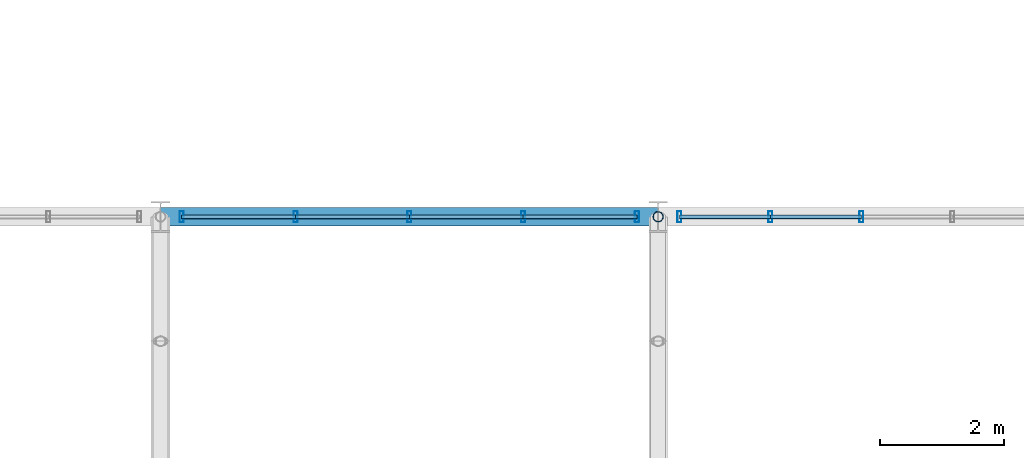
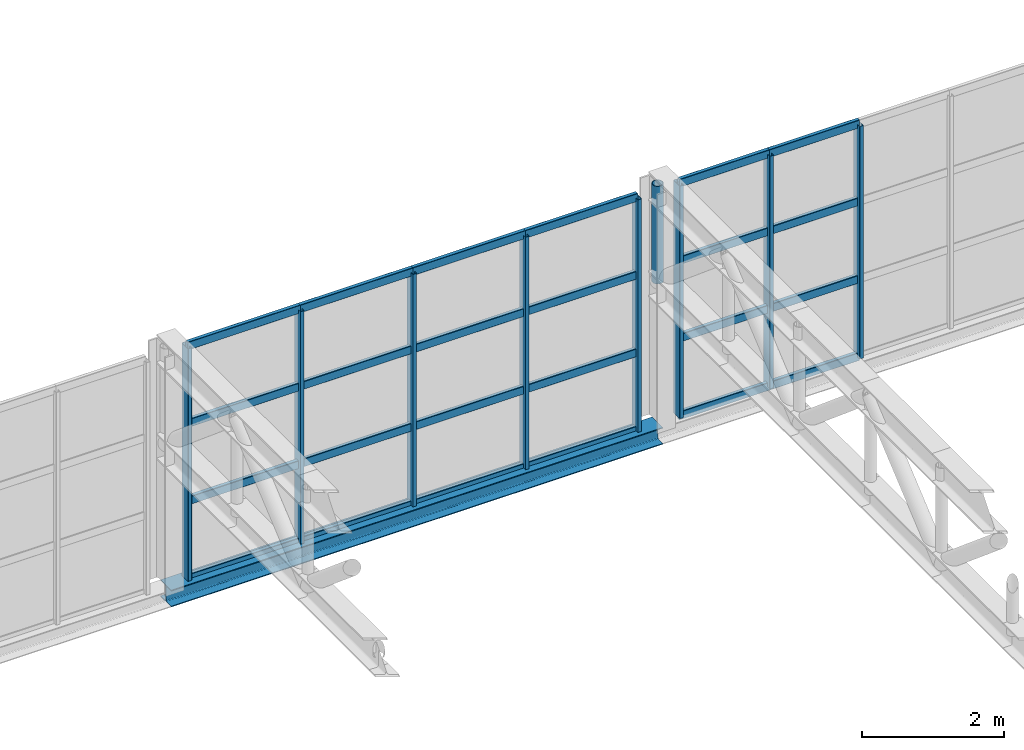
# One storey, part 39 of 67: 33 members, 1 beam, 2 elements without a shape of their own.
"""IFC4 building model written with IfcOpenShell, lengths in metres."""

from ifc_helpers import new_model, si_unit, derived_unit, direction, frame, origin, origin_2d, place, context, subcontext, project, spatial, hollow_rectangle, hollow_circle, i_section, extrude, material, material_profile, profile_set, type_object, element, aggregate, save


model = new_model("IFC4")

# Units and contexts
model_context = context("Model", 3, precision=1e-05, world=origin(), true_north=direction((0.0, 1.0)))
body_context = subcontext(model_context, "Body", "Model", "MODEL_VIEW")
ifc_project = project(units=[si_unit("LENGTHUNIT", "METRE"), si_unit("AREAUNIT", "SQUARE_METRE"), si_unit("VOLUMEUNIT", "CUBIC_METRE"), si_unit("PLANEANGLEUNIT", "RADIAN"), si_unit("MASSUNIT", "GRAM", prefix="KILO"), derived_unit("THERMALTRANSMITTANCEUNIT", [(si_unit("POWERUNIT", "WATT"), 1), (si_unit("LENGTHUNIT", "METRE"), -2), (si_unit("THERMODYNAMICTEMPERATUREUNIT", "KELVIN"), -1)])], contexts=[model_context])

# Site, building, storey
site_placement = place(None, origin())
site = spatial("IfcSite", under=ifc_project, at=site_placement, CompositionType="ELEMENT")
building_placement = place(site_placement, origin())
building = spatial("IfcBuilding", under=site, at=building_placement, Name="Keldorne Ridge Multi-Sports Centre", CompositionType="ELEMENT")
storey_placement = place(building_placement, frame((0.0, 0.0, 14.0)))
storey = spatial("IfcBuildingStorey", under=building, at=storey_placement, Name="L03", CompositionType="ELEMENT", Elevation=14.0)

# Beam
ifc_material_1 = material(Name="Steel S355", Category="steel")
ifc_material_profile_1 = material_profile(ifc_material_1, i_section(OverallWidth=0.300048828125, OverallDepth=0.2900390625, WebThickness=0.008544921875, FlangeThickness=0.013916015625, FilletRadius=0.027099609375, at=origin_2d()), Name="HEA 300")
ifc_profile_set_1 = profile_set([ifc_material_profile_1], Name="Steel S355")
beam_type = type_object("IfcBeamType", Name="BM-SP-04", PredefinedType="SPANDREL", material=ifc_profile_set_1)
beam_placement = place(storey_placement, frame((152.0, 54.0, -0.14990234375), z_axis=(1.0, 0.0, 0.0), x_axis=(0.0, 1.0, 0.0)))
element("IfcBeam", 1, at=beam_placement, inside=storey, type_object=beam_type, Name="Stacked Courts spandrel L03.54.7", PredefinedType="SPANDREL", context=body_context, shape_type="SweptSolid", body=[
    extrude(i_section(OverallWidth=0.300048828125, OverallDepth=0.2900390625, WebThickness=0.008544921875, FlangeThickness=0.013916015625, FilletRadius=0.027099609375, at=origin_2d()), origin(), (0.0, 0.0, 1.0), 8.0),
])

# Curtain wall, members
ifc_material_2 = material(Name="Anodized aluminium", Category="aluminium")
curtain_wall_type_1 = type_object("IfcCurtainWallType", Name="CW-CW-03", PredefinedType="NOTDEFINED", material=ifc_material_2)
curtain_wall_1_placement = place(storey_placement, origin())
curtain_wall_1 = element("IfcCurtainWall", 2, at=curtain_wall_1_placement, inside=storey, type_object=curtain_wall_type_1, Name="Upper Courts north clerestory 131", PredefinedType="NOTDEFINED")
ifc_material_profile_2 = material_profile(ifc_material_2, hollow_rectangle(XDim=0.06494140625, YDim=0.179931640625, WallThickness=0.00439453125, InnerFilletRadius=0.00439453125, OuterFilletRadius=0.009033203125, at=origin_2d()), Name="ALU MULLION 180x65x4.5")
ifc_profile_set_2 = profile_set([ifc_material_profile_2], Name="Anodized aluminium")
member_type_1 = type_object("IfcMemberType", Name="MEM-ML-01", PredefinedType="MULLION", material=ifc_profile_set_2)
member_1_placement = place(storey_placement, frame((159.659912109375, 54.0, 0.0), z_axis=(0.0, 0.0, 1.0), x_axis=(1.0, 0.0, 0.0)))
member_1 = element("IfcMember", 3, at=member_1_placement, type_object=member_type_1, Name="CW-131 vertical mullion 1", PredefinedType="MULLION", context=body_context, shape_type="SweptSolid", body=[
    extrude(hollow_rectangle(XDim=0.06494140625, YDim=0.179931640625, WallThickness=0.00439453125, InnerFilletRadius=0.00439453125, OuterFilletRadius=0.009033203125, at=origin_2d()), origin(), (0.0, 0.0, 1.0), 4.0),
])
member_2_placement = place(storey_placement, frame((157.830078125, 54.0, 0.0), z_axis=(0.0, 0.0, 1.0), x_axis=(1.0, 0.0, 0.0)))
member_2 = element("IfcMember", 4, at=member_2_placement, type_object=member_type_1, Name="CW-131 vertical mullion 2", PredefinedType="MULLION", context=body_context, shape_type="SweptSolid", body=[
    extrude(hollow_rectangle(XDim=0.06494140625, YDim=0.179931640625, WallThickness=0.00439453125, InnerFilletRadius=0.00439453125, OuterFilletRadius=0.009033203125, at=origin_2d()), origin(), (0.0, 0.0, 1.0), 4.0),
])
member_3_placement = place(storey_placement, frame((156.0, 54.0, 0.0), z_axis=(0.0, 0.0, 1.0), x_axis=(1.0, 0.0, 0.0)))
member_3 = element("IfcMember", 5, at=member_3_placement, type_object=member_type_1, Name="CW-131 vertical mullion 3", PredefinedType="MULLION", context=body_context, shape_type="SweptSolid", body=[
    extrude(hollow_rectangle(XDim=0.06494140625, YDim=0.179931640625, WallThickness=0.00439453125, InnerFilletRadius=0.00439453125, OuterFilletRadius=0.009033203125, at=origin_2d()), origin(), (0.0, 0.0, 1.0), 4.0),
])
member_4_placement = place(storey_placement, frame((154.169921875, 54.0, 0.0), z_axis=(0.0, 0.0, 1.0), x_axis=(1.0, 0.0, 0.0)))
member_4 = element("IfcMember", 6, at=member_4_placement, type_object=member_type_1, Name="CW-131 vertical mullion 4", PredefinedType="MULLION", context=body_context, shape_type="SweptSolid", body=[
    extrude(hollow_rectangle(XDim=0.06494140625, YDim=0.179931640625, WallThickness=0.00439453125, InnerFilletRadius=0.00439453125, OuterFilletRadius=0.009033203125, at=origin_2d()), origin(), (0.0, 0.0, 1.0), 4.0),
])
member_5_placement = place(storey_placement, frame((152.340087890625, 54.0, 0.0), z_axis=(0.0, 0.0, 1.0), x_axis=(1.0, 0.0, 0.0)))
member_5 = element("IfcMember", 7, at=member_5_placement, type_object=member_type_1, Name="CW-131 vertical mullion 5", PredefinedType="MULLION", context=body_context, shape_type="SweptSolid", body=[
    extrude(hollow_rectangle(XDim=0.06494140625, YDim=0.179931640625, WallThickness=0.00439453125, InnerFilletRadius=0.00439453125, OuterFilletRadius=0.009033203125, at=origin_2d()), origin(), (0.0, 0.0, 1.0), 4.0),
])

curtain_wall_type_2 = type_object("IfcCurtainWallType", Name="CW-CW-02", PredefinedType="NOTDEFINED", material=ifc_material_2)
curtain_wall_2_placement = place(storey_placement, origin())
curtain_wall_2 = element("IfcCurtainWall", 8, at=curtain_wall_2_placement, inside=storey, type_object=curtain_wall_type_2, Name="Upper Courts north clerestory 138", PredefinedType="NOTDEFINED")
member_6_placement = place(storey_placement, frame((163.26806640625, 54.0, 0.0), z_axis=(0.0, 0.0, 1.0), x_axis=(1.0, 0.0, 0.0)))
member_6 = element("IfcMember", 9, at=member_6_placement, type_object=member_type_1, Name="CW-138 vertical mullion 4", PredefinedType="MULLION", context=body_context, shape_type="SweptSolid", body=[
    extrude(hollow_rectangle(XDim=0.06494140625, YDim=0.179931640625, WallThickness=0.00439453125, InnerFilletRadius=0.00439453125, OuterFilletRadius=0.009033203125, at=origin_2d()), origin(), (0.0, 0.0, 1.0), 4.0),
])
member_7_placement = place(storey_placement, frame((161.803955078125, 54.0, 0.0), z_axis=(0.0, 0.0, 1.0), x_axis=(1.0, 0.0, 0.0)))
member_7 = element("IfcMember", 10, at=member_7_placement, type_object=member_type_1, Name="CW-138 vertical mullion 5", PredefinedType="MULLION", context=body_context, shape_type="SweptSolid", body=[
    extrude(hollow_rectangle(XDim=0.06494140625, YDim=0.179931640625, WallThickness=0.00439453125, InnerFilletRadius=0.00439453125, OuterFilletRadius=0.009033203125, at=origin_2d()), origin(), (0.0, 0.0, 1.0), 4.0),
])
member_8_placement = place(storey_placement, frame((160.340087890625, 54.0, 0.0), z_axis=(0.0, 0.0, 1.0), x_axis=(1.0, 0.0, 0.0)))
member_8 = element("IfcMember", 11, at=member_8_placement, type_object=member_type_1, Name="CW-138 vertical mullion 6", PredefinedType="MULLION", context=body_context, shape_type="SweptSolid", body=[
    extrude(hollow_rectangle(XDim=0.06494140625, YDim=0.179931640625, WallThickness=0.00439453125, InnerFilletRadius=0.00439453125, OuterFilletRadius=0.009033203125, at=origin_2d()), origin(), (0.0, 0.0, 1.0), 4.0),
])

# Member
ifc_material_profile_3 = material_profile(ifc_material_2, hollow_rectangle(XDim=0.06494140625, YDim=0.139892578125, WallThickness=0.00439453125, InnerFilletRadius=0.00439453125, OuterFilletRadius=0.009033203125, at=origin_2d()), Name="ALU TRANSOM 140x65x4.5")
ifc_profile_set_3 = profile_set([ifc_material_profile_3], Name="Anodized aluminium")
member_type_2 = type_object("IfcMemberType", Name="MEM-TR-01", PredefinedType="USERDEFINED", material=ifc_profile_set_3)
member_9_placement = place(storey_placement, frame((159.659912109375, 54.0, 0.0), z_axis=(-1.0, 0.0, 0.0), x_axis=(0.0, -1.0, 0.0)))
member_9 = element("IfcMember", 12, at=member_9_placement, type_object=member_type_2, Name="CW-131 transom 1.1", ObjectType="TRANSOM", PredefinedType="USERDEFINED", context=body_context, shape_type="SweptSolid", body=[
    extrude(hollow_rectangle(XDim=0.06494140625, YDim=0.139892578125, WallThickness=0.00439453125, InnerFilletRadius=0.00439453125, OuterFilletRadius=0.009033203125, at=origin_2d()), origin(), (0.0, 0.0, 1.0), 1.829833984375),
])

member_10_placement = place(storey_placement, frame((159.659912109375, 54.0, 1.333251953125), z_axis=(-1.0, 0.0, 0.0), x_axis=(0.0, -1.0, 0.0)))
member_10 = element("IfcMember", 13, at=member_10_placement, type_object=member_type_2, Name="CW-131 transom 1.2", ObjectType="TRANSOM", PredefinedType="USERDEFINED", context=body_context, shape_type="SweptSolid", body=[
    extrude(hollow_rectangle(XDim=0.06494140625, YDim=0.139892578125, WallThickness=0.00439453125, InnerFilletRadius=0.00439453125, OuterFilletRadius=0.009033203125, at=origin_2d()), origin(), (0.0, 0.0, 1.0), 1.829833984375),
])

member_11_placement = place(storey_placement, frame((159.659912109375, 54.0, 2.666748046875), z_axis=(-1.0, 0.0, 0.0), x_axis=(0.0, -1.0, 0.0)))
member_11 = element("IfcMember", 14, at=member_11_placement, type_object=member_type_2, Name="CW-131 transom 1.3", ObjectType="TRANSOM", PredefinedType="USERDEFINED", context=body_context, shape_type="SweptSolid", body=[
    extrude(hollow_rectangle(XDim=0.06494140625, YDim=0.139892578125, WallThickness=0.00439453125, InnerFilletRadius=0.00439453125, OuterFilletRadius=0.009033203125, at=origin_2d()), origin(), (0.0, 0.0, 1.0), 1.829833984375),
])

member_12_placement = place(storey_placement, frame((159.659912109375, 54.0, 4.0), z_axis=(-1.0, 0.0, 0.0), x_axis=(0.0, -1.0, 0.0)))
member_12 = element("IfcMember", 15, at=member_12_placement, type_object=member_type_2, Name="CW-131 transom 1.4", ObjectType="TRANSOM", PredefinedType="USERDEFINED", context=body_context, shape_type="SweptSolid", body=[
    extrude(hollow_rectangle(XDim=0.06494140625, YDim=0.139892578125, WallThickness=0.00439453125, InnerFilletRadius=0.00439453125, OuterFilletRadius=0.009033203125, at=origin_2d()), origin(), (0.0, 0.0, 1.0), 1.829833984375),
])

member_13_placement = place(storey_placement, frame((157.830078125, 54.0, 0.0), z_axis=(-1.0, 0.0, 0.0), x_axis=(0.0, -1.0, 0.0)))
member_13 = element("IfcMember", 16, at=member_13_placement, type_object=member_type_2, Name="CW-131 transom 2.1", ObjectType="TRANSOM", PredefinedType="USERDEFINED", context=body_context, shape_type="SweptSolid", body=[
    extrude(hollow_rectangle(XDim=0.06494140625, YDim=0.139892578125, WallThickness=0.00439453125, InnerFilletRadius=0.00439453125, OuterFilletRadius=0.009033203125, at=origin_2d()), origin(), (0.0, 0.0, 1.0), 1.830078125),
])

member_14_placement = place(storey_placement, frame((157.830078125, 54.0, 1.333251953125), z_axis=(-1.0, 0.0, 0.0), x_axis=(0.0, -1.0, 0.0)))
member_14 = element("IfcMember", 17, at=member_14_placement, type_object=member_type_2, Name="CW-131 transom 2.2", ObjectType="TRANSOM", PredefinedType="USERDEFINED", context=body_context, shape_type="SweptSolid", body=[
    extrude(hollow_rectangle(XDim=0.06494140625, YDim=0.139892578125, WallThickness=0.00439453125, InnerFilletRadius=0.00439453125, OuterFilletRadius=0.009033203125, at=origin_2d()), origin(), (0.0, 0.0, 1.0), 1.830078125),
])

member_15_placement = place(storey_placement, frame((157.830078125, 54.0, 2.666748046875), z_axis=(-1.0, 0.0, 0.0), x_axis=(0.0, -1.0, 0.0)))
member_15 = element("IfcMember", 18, at=member_15_placement, type_object=member_type_2, Name="CW-131 transom 2.3", ObjectType="TRANSOM", PredefinedType="USERDEFINED", context=body_context, shape_type="SweptSolid", body=[
    extrude(hollow_rectangle(XDim=0.06494140625, YDim=0.139892578125, WallThickness=0.00439453125, InnerFilletRadius=0.00439453125, OuterFilletRadius=0.009033203125, at=origin_2d()), origin(), (0.0, 0.0, 1.0), 1.830078125),
])

member_16_placement = place(storey_placement, frame((157.830078125, 54.0, 4.0), z_axis=(-1.0, 0.0, 0.0), x_axis=(0.0, -1.0, 0.0)))
member_16 = element("IfcMember", 19, at=member_16_placement, type_object=member_type_2, Name="CW-131 transom 2.4", ObjectType="TRANSOM", PredefinedType="USERDEFINED", context=body_context, shape_type="SweptSolid", body=[
    extrude(hollow_rectangle(XDim=0.06494140625, YDim=0.139892578125, WallThickness=0.00439453125, InnerFilletRadius=0.00439453125, OuterFilletRadius=0.009033203125, at=origin_2d()), origin(), (0.0, 0.0, 1.0), 1.830078125),
])

member_17_placement = place(storey_placement, frame((156.0, 54.0, 0.0), z_axis=(-1.0, 0.0, 0.0), x_axis=(0.0, -1.0, 0.0)))
member_17 = element("IfcMember", 20, at=member_17_placement, type_object=member_type_2, Name="CW-131 transom 3.1", ObjectType="TRANSOM", PredefinedType="USERDEFINED", context=body_context, shape_type="SweptSolid", body=[
    extrude(hollow_rectangle(XDim=0.06494140625, YDim=0.139892578125, WallThickness=0.00439453125, InnerFilletRadius=0.00439453125, OuterFilletRadius=0.009033203125, at=origin_2d()), origin(), (0.0, 0.0, 1.0), 1.830078125),
])

member_18_placement = place(storey_placement, frame((156.0, 54.0, 1.333251953125), z_axis=(-1.0, 0.0, 0.0), x_axis=(0.0, -1.0, 0.0)))
member_18 = element("IfcMember", 21, at=member_18_placement, type_object=member_type_2, Name="CW-131 transom 3.2", ObjectType="TRANSOM", PredefinedType="USERDEFINED", context=body_context, shape_type="SweptSolid", body=[
    extrude(hollow_rectangle(XDim=0.06494140625, YDim=0.139892578125, WallThickness=0.00439453125, InnerFilletRadius=0.00439453125, OuterFilletRadius=0.009033203125, at=origin_2d()), origin(), (0.0, 0.0, 1.0), 1.830078125),
])

member_19_placement = place(storey_placement, frame((156.0, 54.0, 2.666748046875), z_axis=(-1.0, 0.0, 0.0), x_axis=(0.0, -1.0, 0.0)))
member_19 = element("IfcMember", 22, at=member_19_placement, type_object=member_type_2, Name="CW-131 transom 3.3", ObjectType="TRANSOM", PredefinedType="USERDEFINED", context=body_context, shape_type="SweptSolid", body=[
    extrude(hollow_rectangle(XDim=0.06494140625, YDim=0.139892578125, WallThickness=0.00439453125, InnerFilletRadius=0.00439453125, OuterFilletRadius=0.009033203125, at=origin_2d()), origin(), (0.0, 0.0, 1.0), 1.830078125),
])

member_20_placement = place(storey_placement, frame((156.0, 54.0, 4.0), z_axis=(-1.0, 0.0, 0.0), x_axis=(0.0, -1.0, 0.0)))
member_20 = element("IfcMember", 23, at=member_20_placement, type_object=member_type_2, Name="CW-131 transom 3.4", ObjectType="TRANSOM", PredefinedType="USERDEFINED", context=body_context, shape_type="SweptSolid", body=[
    extrude(hollow_rectangle(XDim=0.06494140625, YDim=0.139892578125, WallThickness=0.00439453125, InnerFilletRadius=0.00439453125, OuterFilletRadius=0.009033203125, at=origin_2d()), origin(), (0.0, 0.0, 1.0), 1.830078125),
])

member_21_placement = place(storey_placement, frame((154.169921875, 54.0, 0.0), z_axis=(-1.0, 0.0, 0.0), x_axis=(0.0, -1.0, 0.0)))
member_21 = element("IfcMember", 24, at=member_21_placement, type_object=member_type_2, Name="CW-131 transom 4.1", ObjectType="TRANSOM", PredefinedType="USERDEFINED", context=body_context, shape_type="SweptSolid", body=[
    extrude(hollow_rectangle(XDim=0.06494140625, YDim=0.139892578125, WallThickness=0.00439453125, InnerFilletRadius=0.00439453125, OuterFilletRadius=0.009033203125, at=origin_2d()), origin(), (0.0, 0.0, 1.0), 1.829833984375),
])

member_22_placement = place(storey_placement, frame((154.169921875, 54.0, 1.333251953125), z_axis=(-1.0, 0.0, 0.0), x_axis=(0.0, -1.0, 0.0)))
member_22 = element("IfcMember", 25, at=member_22_placement, type_object=member_type_2, Name="CW-131 transom 4.2", ObjectType="TRANSOM", PredefinedType="USERDEFINED", context=body_context, shape_type="SweptSolid", body=[
    extrude(hollow_rectangle(XDim=0.06494140625, YDim=0.139892578125, WallThickness=0.00439453125, InnerFilletRadius=0.00439453125, OuterFilletRadius=0.009033203125, at=origin_2d()), origin(), (0.0, 0.0, 1.0), 1.829833984375),
])

member_23_placement = place(storey_placement, frame((154.169921875, 54.0, 2.666748046875), z_axis=(-1.0, 0.0, 0.0), x_axis=(0.0, -1.0, 0.0)))
member_23 = element("IfcMember", 26, at=member_23_placement, type_object=member_type_2, Name="CW-131 transom 4.3", ObjectType="TRANSOM", PredefinedType="USERDEFINED", context=body_context, shape_type="SweptSolid", body=[
    extrude(hollow_rectangle(XDim=0.06494140625, YDim=0.139892578125, WallThickness=0.00439453125, InnerFilletRadius=0.00439453125, OuterFilletRadius=0.009033203125, at=origin_2d()), origin(), (0.0, 0.0, 1.0), 1.829833984375),
])

member_24_placement = place(storey_placement, frame((154.169921875, 54.0, 4.0), z_axis=(-1.0, 0.0, 0.0), x_axis=(0.0, -1.0, 0.0)))
member_24 = element("IfcMember", 27, at=member_24_placement, type_object=member_type_2, Name="CW-131 transom 4.4", ObjectType="TRANSOM", PredefinedType="USERDEFINED", context=body_context, shape_type="SweptSolid", body=[
    extrude(hollow_rectangle(XDim=0.06494140625, YDim=0.139892578125, WallThickness=0.00439453125, InnerFilletRadius=0.00439453125, OuterFilletRadius=0.009033203125, at=origin_2d()), origin(), (0.0, 0.0, 1.0), 1.829833984375),
])

aggregate(curtain_wall_1, [member_1, member_2, member_3, member_4, member_5, member_9, member_10, member_11, member_12, member_13, member_14, member_15, member_16, member_17, member_18, member_19, member_20, member_21, member_22, member_23, member_24])

member_25_placement = place(storey_placement, frame((163.26806640625, 54.0, 0.0), z_axis=(-1.0, 0.0, 0.0), x_axis=(0.0, -1.0, 0.0)))
member_25 = element("IfcMember", 28, at=member_25_placement, type_object=member_type_2, Name="CW-138 transom 4.1", ObjectType="TRANSOM", PredefinedType="USERDEFINED", context=body_context, shape_type="SweptSolid", body=[
    extrude(hollow_rectangle(XDim=0.06494140625, YDim=0.139892578125, WallThickness=0.00439453125, InnerFilletRadius=0.00439453125, OuterFilletRadius=0.009033203125, at=origin_2d()), origin(), (0.0, 0.0, 1.0), 1.464111328125),
])

member_26_placement = place(storey_placement, frame((163.26806640625, 54.0, 1.333251953125), z_axis=(-1.0, 0.0, 0.0), x_axis=(0.0, -1.0, 0.0)))
member_26 = element("IfcMember", 29, at=member_26_placement, type_object=member_type_2, Name="CW-138 transom 4.2", ObjectType="TRANSOM", PredefinedType="USERDEFINED", context=body_context, shape_type="SweptSolid", body=[
    extrude(hollow_rectangle(XDim=0.06494140625, YDim=0.139892578125, WallThickness=0.00439453125, InnerFilletRadius=0.00439453125, OuterFilletRadius=0.009033203125, at=origin_2d()), origin(), (0.0, 0.0, 1.0), 1.464111328125),
])

member_27_placement = place(storey_placement, frame((163.26806640625, 54.0, 2.666748046875), z_axis=(-1.0, 0.0, 0.0), x_axis=(0.0, -1.0, 0.0)))
member_27 = element("IfcMember", 30, at=member_27_placement, type_object=member_type_2, Name="CW-138 transom 4.3", ObjectType="TRANSOM", PredefinedType="USERDEFINED", context=body_context, shape_type="SweptSolid", body=[
    extrude(hollow_rectangle(XDim=0.06494140625, YDim=0.139892578125, WallThickness=0.00439453125, InnerFilletRadius=0.00439453125, OuterFilletRadius=0.009033203125, at=origin_2d()), origin(), (0.0, 0.0, 1.0), 1.464111328125),
])

member_28_placement = place(storey_placement, frame((163.26806640625, 54.0, 4.0), z_axis=(-1.0, 0.0, 0.0), x_axis=(0.0, -1.0, 0.0)))
member_28 = element("IfcMember", 31, at=member_28_placement, type_object=member_type_2, Name="CW-138 transom 4.4", ObjectType="TRANSOM", PredefinedType="USERDEFINED", context=body_context, shape_type="SweptSolid", body=[
    extrude(hollow_rectangle(XDim=0.06494140625, YDim=0.139892578125, WallThickness=0.00439453125, InnerFilletRadius=0.00439453125, OuterFilletRadius=0.009033203125, at=origin_2d()), origin(), (0.0, 0.0, 1.0), 1.464111328125),
])

member_29_placement = place(storey_placement, frame((161.803955078125, 54.0, 0.0), z_axis=(-1.0, 0.0, 0.0), x_axis=(0.0, -1.0, 0.0)))
member_29 = element("IfcMember", 32, at=member_29_placement, type_object=member_type_2, Name="CW-138 transom 5.1", ObjectType="TRANSOM", PredefinedType="USERDEFINED", context=body_context, shape_type="SweptSolid", body=[
    extrude(hollow_rectangle(XDim=0.06494140625, YDim=0.139892578125, WallThickness=0.00439453125, InnerFilletRadius=0.00439453125, OuterFilletRadius=0.009033203125, at=origin_2d()), origin(), (0.0, 0.0, 1.0), 1.4638671875),
])

member_30_placement = place(storey_placement, frame((161.803955078125, 54.0, 1.333251953125), z_axis=(-1.0, 0.0, 0.0), x_axis=(0.0, -1.0, 0.0)))
member_30 = element("IfcMember", 33, at=member_30_placement, type_object=member_type_2, Name="CW-138 transom 5.2", ObjectType="TRANSOM", PredefinedType="USERDEFINED", context=body_context, shape_type="SweptSolid", body=[
    extrude(hollow_rectangle(XDim=0.06494140625, YDim=0.139892578125, WallThickness=0.00439453125, InnerFilletRadius=0.00439453125, OuterFilletRadius=0.009033203125, at=origin_2d()), origin(), (0.0, 0.0, 1.0), 1.4638671875),
])

member_31_placement = place(storey_placement, frame((161.803955078125, 54.0, 2.666748046875), z_axis=(-1.0, 0.0, 0.0), x_axis=(0.0, -1.0, 0.0)))
member_31 = element("IfcMember", 34, at=member_31_placement, type_object=member_type_2, Name="CW-138 transom 5.3", ObjectType="TRANSOM", PredefinedType="USERDEFINED", context=body_context, shape_type="SweptSolid", body=[
    extrude(hollow_rectangle(XDim=0.06494140625, YDim=0.139892578125, WallThickness=0.00439453125, InnerFilletRadius=0.00439453125, OuterFilletRadius=0.009033203125, at=origin_2d()), origin(), (0.0, 0.0, 1.0), 1.4638671875),
])

member_32_placement = place(storey_placement, frame((161.803955078125, 54.0, 4.0), z_axis=(-1.0, 0.0, 0.0), x_axis=(0.0, -1.0, 0.0)))
member_32 = element("IfcMember", 35, at=member_32_placement, type_object=member_type_2, Name="CW-138 transom 5.4", ObjectType="TRANSOM", PredefinedType="USERDEFINED", context=body_context, shape_type="SweptSolid", body=[
    extrude(hollow_rectangle(XDim=0.06494140625, YDim=0.139892578125, WallThickness=0.00439453125, InnerFilletRadius=0.00439453125, OuterFilletRadius=0.009033203125, at=origin_2d()), origin(), (0.0, 0.0, 1.0), 1.4638671875),
])

aggregate(curtain_wall_2, [member_6, member_7, member_8, member_25, member_26, member_27, member_28, member_29, member_30, member_31, member_32])

ifc_material_profile_4 = material_profile(ifc_material_1, hollow_circle(Radius=0.084228515625, WallThickness=0.010009765625, at=origin_2d()), Name="CHS 168.3x10")
ifc_profile_set_4 = profile_set([ifc_material_profile_4], Name="Steel S355")
member_type_3 = type_object("IfcMemberType", Name="MEM-TV-01", PredefinedType="STRUT", material=ifc_profile_set_4)
member_33_placement = place(storey_placement, frame((160.0, 54.0, 2.429931640625), z_axis=(0.0, 0.0, 1.0), x_axis=(1.0, 0.0, 0.0)))
element("IfcMember", 36, at=member_33_placement, inside=storey, type_object=member_type_3, Name="Stacked Courts Warren TRUSS WT-L04-08 end post 24", PredefinedType="STRUT", context=body_context, shape_type="SweptSolid", body=[
    extrude(hollow_circle(Radius=0.084228515625, WallThickness=0.010009765625, at=origin_2d()), origin(), (0.0, 0.0, 1.0), 1.68017578125),
])

save(model, "model.ifc")
